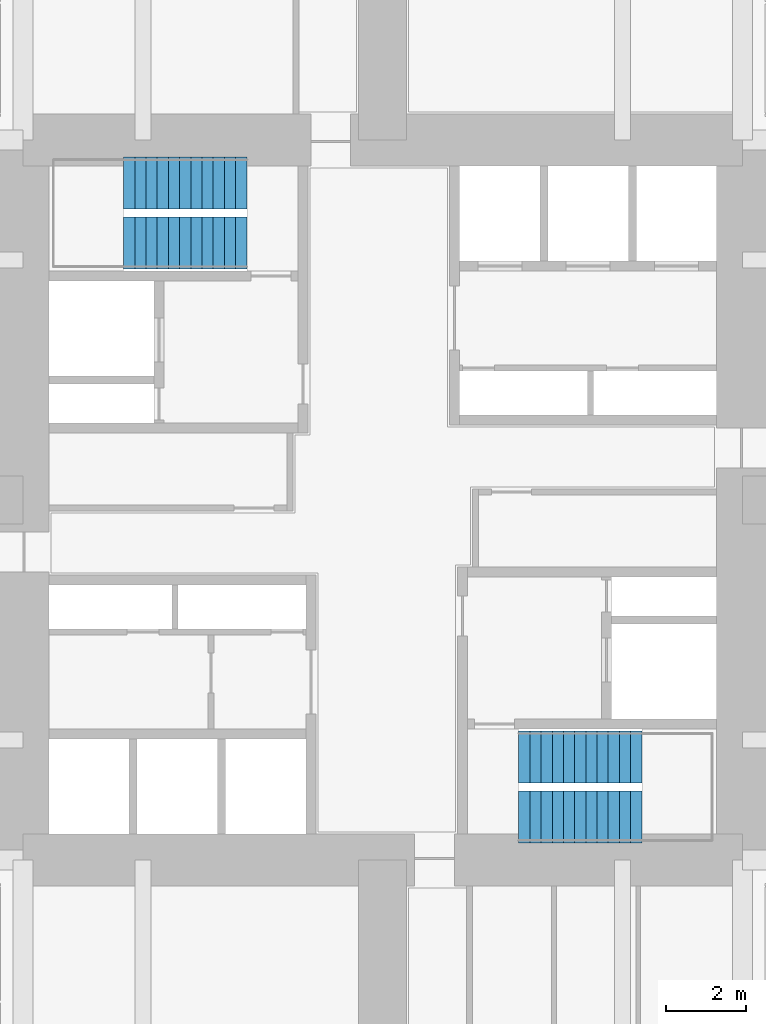
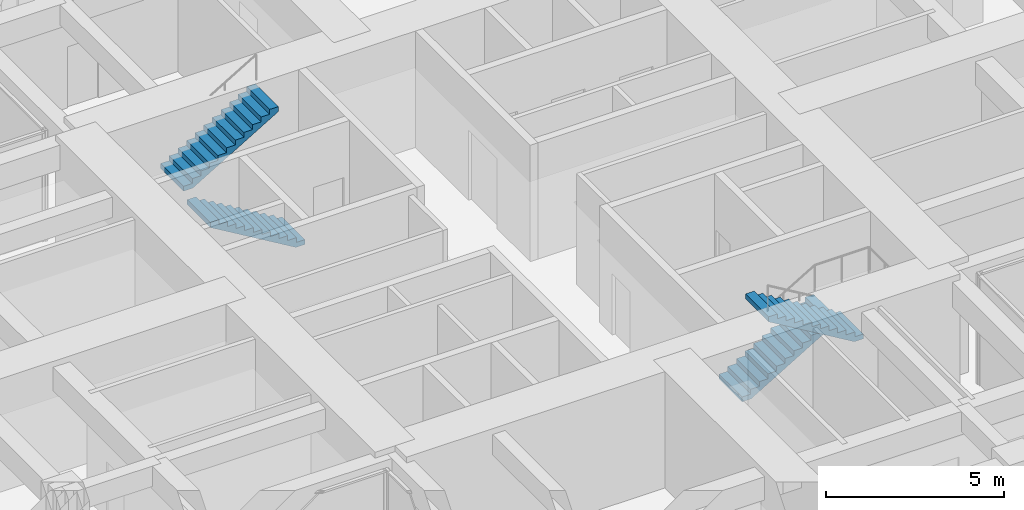
# One storey, part 12 of 13: 4 stair flights, 2 elements without a shape of their own.
"""IFC4 building model written with IfcOpenShell, lengths in metres."""

from ifc_helpers import new_model, si_unit, direction, frame, origin, place, context, subcontext, project, spatial, polyline, outline, extrude, material, type_object, element, aggregate, save


model = new_model("IFC4")

# Units and contexts
model_context = context("Model", 3, precision=1e-05, world=origin(), true_north=direction((0.0, 1.0)))
body_context = subcontext(model_context, "Body", "Model", "MODEL_VIEW")
ifc_project = project(units=[si_unit("LENGTHUNIT", "METRE"), si_unit("AREAUNIT", "SQUARE_METRE"), si_unit("VOLUMEUNIT", "CUBIC_METRE"), si_unit("PLANEANGLEUNIT", "RADIAN"), si_unit("MASSUNIT", "GRAM", prefix="KILO")], contexts=[model_context])

# Site, building, storey
site_placement = place(None, origin())
site = spatial("IfcSite", under=ifc_project, at=site_placement, CompositionType="ELEMENT")
building_placement = place(site_placement, origin())
building = spatial("IfcBuilding", under=site, at=building_placement, Name="Torre Cruceta", CompositionType="ELEMENT")
storey_placement = place(building_placement, frame((0.0, 0.0, 128.5)))
storey = spatial("IfcBuildingStorey", under=building, at=storey_placement, Name="L31", CompositionType="ELEMENT", Elevation=128.5)

# Stair, stair flights
ifc_material_1 = material(Name="Concrete G30 (fck 30 MPa)", Category="concrete")
stair_type = type_object("IfcStairType", Name="STAIR HALF-TURN 1300", PredefinedType="HALF_TURN_STAIR", material=ifc_material_1)
stair_1_placement = place(storey_placement, origin())
stair_1 = element("IfcStair", 1, at=stair_1_placement, inside=storey, type_object=stair_type, Name="Stair ST1 L31", PredefinedType="HALF_TURN_STAIR")
ifc_material_2 = material(Name="Concrete G30 (fck 30 MPa)", Category="concrete")
stair_flight_type = type_object("IfcStairFlightType", Name="STAIR FLIGHT 1300", PredefinedType="STRAIGHT", material=ifc_material_2)
stair_flight_1_placement = place(storey_placement, frame((-3.39990234375, 6.425048828125, 0.0), z_axis=(0.0, 0.0, 1.0), x_axis=(-1.0, 0.0, 0.0)))
stair_flight_1 = element("IfcStairFlight", 2, at=stair_flight_1_placement, type_object=stair_flight_type, Name="ST1 flight 1", NumberOfRisers=12, NumberOfTreads=11, PredefinedType="STRAIGHT", RiserHeight=0.166666667, TreadLength=0.28, context=body_context, shape_type="SweptSolid", body=[
    extrude(outline(polyline([(0.0, 0.0), (0.0, 0.166748046875), (0.280029296875, 0.166748046875), (0.280029296875, 0.333251953125), (0.56005859375, 0.333251953125), (0.56005859375, 0.5), (0.840087890625, 0.5), (0.840087890625, 0.666748046875), (1.1201171875, 0.666748046875), (1.1201171875, 0.833251953125), (1.39990234375, 0.833251953125), (1.39990234375, 1.0), (1.679931640625, 1.0), (1.679931640625, 1.166748046875), (1.9599609375, 1.166748046875), (1.9599609375, 1.333251953125), (2.239990234375, 1.333251953125), (2.239990234375, 1.5), (2.52001953125, 1.5), (2.52001953125, 1.666748046875), (2.800048828125, 1.666748046875), (2.800048828125, 1.833251953125), (3.080078125, 1.833251953125), (3.080078125, 2.0), (3.080078125, 1.658935546875), (0.29296875, 0.0), (0.0, 0.0)])), frame((0.0, 0.64990234375, 0.0), z_axis=(0.0, -1.0, 0.0), x_axis=(1.0, 0.0, 0.0)), (0.0, 0.0, 1.0), 1.300048828125),
])
stair_flight_2_placement = place(storey_placement, frame((-6.47998046875, 7.925048828125, 2.0), z_axis=(0.0, 0.0, 1.0), x_axis=(1.0, 0.0, 0.0)))
stair_flight_2 = element("IfcStairFlight", 3, at=stair_flight_2_placement, type_object=stair_flight_type, Name="ST1 flight 2", NumberOfRisers=12, NumberOfTreads=11, PredefinedType="STRAIGHT", RiserHeight=0.166666667, TreadLength=0.28, context=body_context, shape_type="SweptSolid", body=[
    extrude(outline(polyline([(0.0, 0.0), (0.0, 0.166748046875), (0.280029296875, 0.166748046875), (0.280029296875, 0.333251953125), (0.56005859375, 0.333251953125), (0.56005859375, 0.5), (0.840087890625, 0.5), (0.840087890625, 0.666748046875), (1.1201171875, 0.666748046875), (1.1201171875, 0.833251953125), (1.39990234375, 0.833251953125), (1.39990234375, 1.0), (1.679931640625, 1.0), (1.679931640625, 1.166748046875), (1.9599609375, 1.166748046875), (1.9599609375, 1.333251953125), (2.239990234375, 1.333251953125), (2.239990234375, 1.5), (2.52001953125, 1.5), (2.52001953125, 1.666748046875), (2.800048828125, 1.666748046875), (2.800048828125, 1.833251953125), (3.080078125, 1.833251953125), (3.080078125, 2.0), (3.080078125, 1.658935546875), (0.29296875, 0.0), (0.0, 0.0)])), frame((0.0, 0.64990234375, 0.0), z_axis=(0.0, -1.0, 0.0), x_axis=(1.0, 0.0, 0.0)), (0.0, 0.0, 1.0), 1.300048828125),
])
aggregate(stair_1, [stair_flight_1, stair_flight_2])

stair_2_placement = place(storey_placement, origin())
stair_2 = element("IfcStair", 4, at=stair_2_placement, inside=storey, type_object=stair_type, Name="Stair ST2 L31", PredefinedType="HALF_TURN_STAIR")
stair_flight_3_placement = place(storey_placement, frame((3.39990234375, -6.425048828125, 0.0), z_axis=(0.0, 0.0, 1.0), x_axis=(1.0, 0.0, 0.0)))
stair_flight_3 = element("IfcStairFlight", 5, at=stair_flight_3_placement, type_object=stair_flight_type, Name="ST2 flight 1", NumberOfRisers=12, NumberOfTreads=11, PredefinedType="STRAIGHT", RiserHeight=0.166666667, TreadLength=0.28, context=body_context, shape_type="SweptSolid", body=[
    extrude(outline(polyline([(0.0, 0.0), (0.0, 0.166748046875), (0.280029296875, 0.166748046875), (0.280029296875, 0.333251953125), (0.56005859375, 0.333251953125), (0.56005859375, 0.5), (0.840087890625, 0.5), (0.840087890625, 0.666748046875), (1.1201171875, 0.666748046875), (1.1201171875, 0.833251953125), (1.39990234375, 0.833251953125), (1.39990234375, 1.0), (1.679931640625, 1.0), (1.679931640625, 1.166748046875), (1.9599609375, 1.166748046875), (1.9599609375, 1.333251953125), (2.239990234375, 1.333251953125), (2.239990234375, 1.5), (2.52001953125, 1.5), (2.52001953125, 1.666748046875), (2.800048828125, 1.666748046875), (2.800048828125, 1.833251953125), (3.080078125, 1.833251953125), (3.080078125, 2.0), (3.080078125, 1.658935546875), (0.29296875, 0.0), (0.0, 0.0)])), frame((0.0, 0.64990234375, 0.0), z_axis=(0.0, -1.0, 0.0), x_axis=(1.0, 0.0, 0.0)), (0.0, 0.0, 1.0), 1.300048828125),
])
stair_flight_4_placement = place(storey_placement, frame((6.47998046875, -7.925048828125, 2.0), z_axis=(0.0, 0.0, 1.0), x_axis=(-1.0, 0.0, 0.0)))
stair_flight_4 = element("IfcStairFlight", 6, at=stair_flight_4_placement, type_object=stair_flight_type, Name="ST2 flight 2", NumberOfRisers=12, NumberOfTreads=11, PredefinedType="STRAIGHT", RiserHeight=0.166666667, TreadLength=0.28, context=body_context, shape_type="SweptSolid", body=[
    extrude(outline(polyline([(0.0, 0.0), (0.0, 0.166748046875), (0.280029296875, 0.166748046875), (0.280029296875, 0.333251953125), (0.56005859375, 0.333251953125), (0.56005859375, 0.5), (0.840087890625, 0.5), (0.840087890625, 0.666748046875), (1.1201171875, 0.666748046875), (1.1201171875, 0.833251953125), (1.39990234375, 0.833251953125), (1.39990234375, 1.0), (1.679931640625, 1.0), (1.679931640625, 1.166748046875), (1.9599609375, 1.166748046875), (1.9599609375, 1.333251953125), (2.239990234375, 1.333251953125), (2.239990234375, 1.5), (2.52001953125, 1.5), (2.52001953125, 1.666748046875), (2.800048828125, 1.666748046875), (2.800048828125, 1.833251953125), (3.080078125, 1.833251953125), (3.080078125, 2.0), (3.080078125, 1.658935546875), (0.29296875, 0.0), (0.0, 0.0)])), frame((0.0, 0.64990234375, 0.0), z_axis=(0.0, -1.0, 0.0), x_axis=(1.0, 0.0, 0.0)), (0.0, 0.0, 1.0), 1.300048828125),
])
aggregate(stair_2, [stair_flight_3, stair_flight_4])

save(model, "model.ifc")
